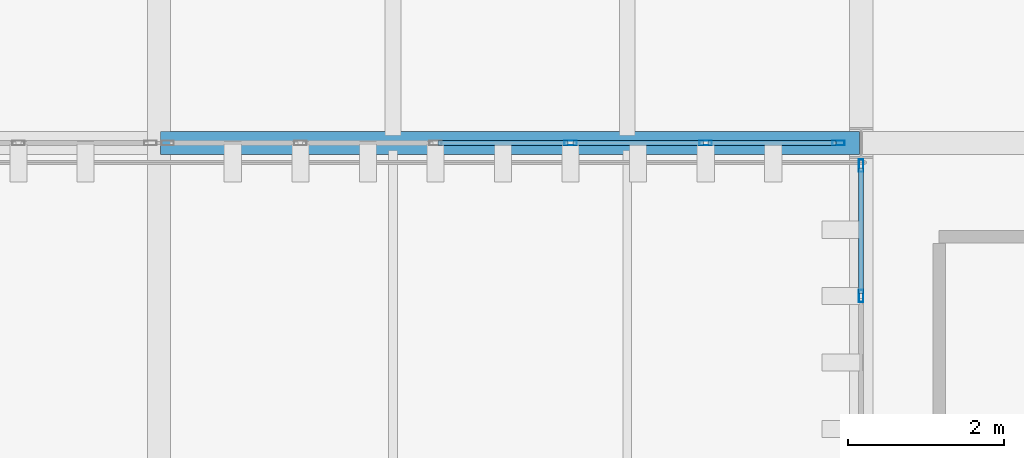
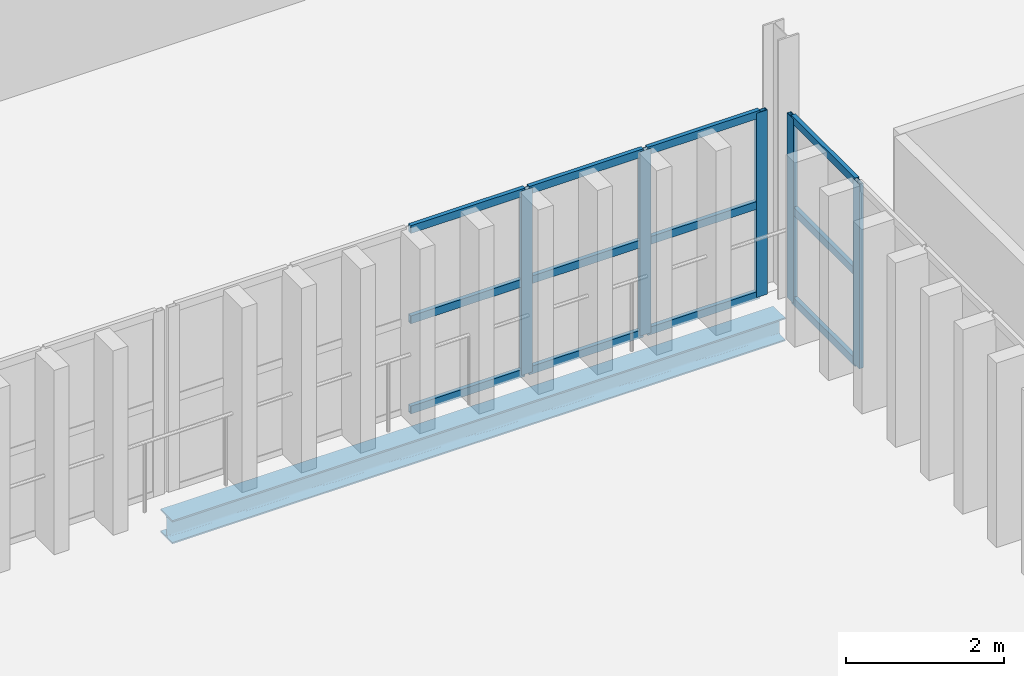
# One storey, part 41 of 102: 17 members, 1 beam, 2 elements without a shape of their own.
"""IFC4 building model written with IfcOpenShell, lengths in metres."""

from ifc_helpers import new_model, si_unit, direction, frame, origin, origin_2d, place, context, subcontext, project, spatial, hollow_rectangle, i_section, extrude, material, layer, layer_set, material_profile, profile_set, type_object, element, aggregate, save


model = new_model("IFC4")

# Units and contexts
model_context = context("Model", 3, precision=1e-05, world=origin(), true_north=direction((0.0, 1.0)))
body_context = subcontext(model_context, "Body", "Model", "MODEL_VIEW")
ifc_project = project(units=[si_unit("LENGTHUNIT", "METRE"), si_unit("AREAUNIT", "SQUARE_METRE"), si_unit("VOLUMEUNIT", "CUBIC_METRE"), si_unit("PLANEANGLEUNIT", "RADIAN"), si_unit("MASSUNIT", "GRAM", prefix="KILO")], contexts=[model_context])

# Site, building, storey
site_placement = place(None, origin())
site = spatial("IfcSite", under=ifc_project, at=site_placement, CompositionType="ELEMENT")
building_placement = place(site_placement, origin())
building = spatial("IfcBuilding", under=site, at=building_placement, Name="Barlavento Convention Centre", CompositionType="ELEMENT")
storey_placement = place(building_placement, frame((0.0, 0.0, 22.800048828125)))
storey = spatial("IfcBuildingStorey", under=building, at=storey_placement, Name="L04", CompositionType="ELEMENT", Elevation=22.800048828125)

# Curtain wall, members
ifc_material_1 = material(Name="Powder-coated aluminium and Low-E glass", Category="aluminium")
ifc_layer = layer(ifc_material_1, 0.18505859375)
ifc_layer_set = layer_set([ifc_layer], Name="ARC-CW-CONF-L04")
curtain_wall_type = type_object("IfcCurtainWallType", Name="ARC-CW-CONF-L04", PredefinedType="NOTDEFINED", material=ifc_layer_set)
curtain_wall_1_placement = place(storey_placement, origin())
curtain_wall_1 = element("IfcCurtainWall", 1, at=curtain_wall_1_placement, inside=storey, type_object=curtain_wall_type, Name="L04 unitised curtain wall CW09", PredefinedType="NOTDEFINED")
ifc_material_2 = material(Name="Powder-coated aluminium", Category="aluminium")
ifc_material_profile_1 = material_profile(ifc_material_2, hollow_rectangle(XDim=0.06005859375, YDim=0.159912109375, WallThickness=0.00390625, at=origin_2d()), Name="AL-MULL 60x160x4")
ifc_profile_set_1 = profile_set([ifc_material_profile_1], Name="Powder-coated aluminium")
member_type_1 = type_object("IfcMemberType", Name="ARC-CWM-60X160", PredefinedType="MULLION", material=ifc_profile_set_1)
member_1_placement = place(storey_placement, frame((153.0, 52.0380859375, 0.0), z_axis=(0.0, 0.0, 1.0), x_axis=(-1.0, 0.0, 0.0)))
member_1 = element("IfcMember", 2, at=member_1_placement, type_object=member_type_1, Name="CW09 mullion 5", PredefinedType="MULLION", context=body_context, shape_type="SweptSolid", body=[
    extrude(hollow_rectangle(XDim=0.06005859375, YDim=0.159912109375, WallThickness=0.00390625, at=origin_2d()), origin(), (0.0, 0.0, 1.0), 2.849853515625),
])
member_2_placement = place(storey_placement, frame((153.0, 53.7099609375, 0.0), z_axis=(0.0, 0.0, 1.0), x_axis=(-1.0, 0.0, 0.0)))
member_2 = element("IfcMember", 3, at=member_2_placement, type_object=member_type_1, Name="CW09 mullion 6", PredefinedType="MULLION", context=body_context, shape_type="SweptSolid", body=[
    extrude(hollow_rectangle(XDim=0.06005859375, YDim=0.159912109375, WallThickness=0.00390625, at=origin_2d()), origin(), (0.0, 0.0, 1.0), 2.849853515625),
])

curtain_wall_2_placement = place(storey_placement, origin())
curtain_wall_2 = element("IfcCurtainWall", 4, at=curtain_wall_2_placement, inside=storey, type_object=curtain_wall_type, Name="L04 unitised curtain wall CW09", PredefinedType="NOTDEFINED")
member_3_placement = place(storey_placement, frame((149.27587890625, 54.0, 0.0), z_axis=(0.0, 0.0, 1.0), x_axis=(0.0, 1.0, 0.0)))
member_3 = element("IfcMember", 5, at=member_3_placement, type_object=member_type_1, Name="CW09 mullion 4", PredefinedType="MULLION", context=body_context, shape_type="SweptSolid", body=[
    extrude(hollow_rectangle(XDim=0.06005859375, YDim=0.159912109375, WallThickness=0.00390625, at=origin_2d()), origin(), (0.0, 0.0, 1.0), 2.849853515625),
])
member_4_placement = place(storey_placement, frame((151.008056640625, 54.0, 0.0), z_axis=(0.0, 0.0, 1.0), x_axis=(0.0, 1.0, 0.0)))
member_4 = element("IfcMember", 6, at=member_4_placement, type_object=member_type_1, Name="CW09 mullion 5", PredefinedType="MULLION", context=body_context, shape_type="SweptSolid", body=[
    extrude(hollow_rectangle(XDim=0.06005859375, YDim=0.159912109375, WallThickness=0.00390625, at=origin_2d()), origin(), (0.0, 0.0, 1.0), 2.849853515625),
])
member_5_placement = place(storey_placement, frame((152.7099609375, 54.0, 0.0), z_axis=(0.0, 0.0, 1.0), x_axis=(0.0, 1.0, 0.0)))
member_5 = element("IfcMember", 7, at=member_5_placement, type_object=member_type_1, Name="CW09 mullion 6", PredefinedType="MULLION", context=body_context, shape_type="SweptSolid", body=[
    extrude(hollow_rectangle(XDim=0.06005859375, YDim=0.159912109375, WallThickness=0.00390625, at=origin_2d()), origin(), (0.0, 0.0, 1.0), 2.849853515625),
])

# Member
ifc_material_profile_2 = material_profile(ifc_material_2, hollow_rectangle(XDim=0.06005859375, YDim=0.1201171875, WallThickness=0.00390625, at=origin_2d()), Name="AL-TRAN 60x120x4")
ifc_profile_set_2 = profile_set([ifc_material_profile_2], Name="Powder-coated aluminium")
member_type_2 = type_object("IfcMemberType", Name="ARC-CWT-60X120", PredefinedType="USERDEFINED", material=ifc_profile_set_2)
member_6_placement = place(storey_placement, frame((153.0, 52.068115234375, 0.030029296875), z_axis=(0.0, 1.0, 0.0), x_axis=(-1.0, 0.0, 0.0)))
member_6 = element("IfcMember", 8, at=member_6_placement, type_object=member_type_2, Name="CW09 transom 5.1", ObjectType="TRANSOM", PredefinedType="USERDEFINED", context=body_context, shape_type="SweptSolid", body=[
    extrude(hollow_rectangle(XDim=0.06005859375, YDim=0.1201171875, WallThickness=0.00390625, at=origin_2d()), origin(), (0.0, 0.0, 1.0), 1.61181640625),
])

member_7_placement = place(storey_placement, frame((153.0, 52.068115234375, 1.425048828125), z_axis=(0.0, 1.0, 0.0), x_axis=(-1.0, 0.0, 0.0)))
member_7 = element("IfcMember", 9, at=member_7_placement, type_object=member_type_2, Name="CW09 transom 5.2", ObjectType="TRANSOM", PredefinedType="USERDEFINED", context=body_context, shape_type="SweptSolid", body=[
    extrude(hollow_rectangle(XDim=0.06005859375, YDim=0.1201171875, WallThickness=0.00390625, at=origin_2d()), origin(), (0.0, 0.0, 1.0), 1.61181640625),
])

member_8_placement = place(storey_placement, frame((153.0, 52.068115234375, 2.820068359375), z_axis=(0.0, 1.0, 0.0), x_axis=(-1.0, 0.0, 0.0)))
member_8 = element("IfcMember", 10, at=member_8_placement, type_object=member_type_2, Name="CW09 transom 5.3", ObjectType="TRANSOM", PredefinedType="USERDEFINED", context=body_context, shape_type="SweptSolid", body=[
    extrude(hollow_rectangle(XDim=0.06005859375, YDim=0.1201171875, WallThickness=0.00390625, at=origin_2d()), origin(), (0.0, 0.0, 1.0), 1.61181640625),
])

aggregate(curtain_wall_1, [member_1, member_2, member_6, member_7, member_8])

member_9_placement = place(storey_placement, frame((147.573974609375, 54.0, 0.030029296875), z_axis=(1.0, 0.0, 0.0), x_axis=(0.0, 1.0, 0.0)))
member_9 = element("IfcMember", 11, at=member_9_placement, type_object=member_type_2, Name="CW09 transom 3.1", ObjectType="TRANSOM", PredefinedType="USERDEFINED", context=body_context, shape_type="SweptSolid", body=[
    extrude(hollow_rectangle(XDim=0.06005859375, YDim=0.1201171875, WallThickness=0.00390625, at=origin_2d()), origin(), (0.0, 0.0, 1.0), 1.672119140625),
])

member_10_placement = place(storey_placement, frame((147.573974609375, 54.0, 1.425048828125), z_axis=(1.0, 0.0, 0.0), x_axis=(0.0, 1.0, 0.0)))
member_10 = element("IfcMember", 12, at=member_10_placement, type_object=member_type_2, Name="CW09 transom 3.2", ObjectType="TRANSOM", PredefinedType="USERDEFINED", context=body_context, shape_type="SweptSolid", body=[
    extrude(hollow_rectangle(XDim=0.06005859375, YDim=0.1201171875, WallThickness=0.00390625, at=origin_2d()), origin(), (0.0, 0.0, 1.0), 1.672119140625),
])

member_11_placement = place(storey_placement, frame((147.573974609375, 54.0, 2.820068359375), z_axis=(1.0, 0.0, 0.0), x_axis=(0.0, 1.0, 0.0)))
member_11 = element("IfcMember", 13, at=member_11_placement, type_object=member_type_2, Name="CW09 transom 3.3", ObjectType="TRANSOM", PredefinedType="USERDEFINED", context=body_context, shape_type="SweptSolid", body=[
    extrude(hollow_rectangle(XDim=0.06005859375, YDim=0.1201171875, WallThickness=0.00390625, at=origin_2d()), origin(), (0.0, 0.0, 1.0), 1.672119140625),
])

member_12_placement = place(storey_placement, frame((149.305908203125, 54.0, 0.030029296875), z_axis=(1.0, 0.0, 0.0), x_axis=(0.0, 1.0, 0.0)))
member_12 = element("IfcMember", 14, at=member_12_placement, type_object=member_type_2, Name="CW09 transom 4.1", ObjectType="TRANSOM", PredefinedType="USERDEFINED", context=body_context, shape_type="SweptSolid", body=[
    extrude(hollow_rectangle(XDim=0.06005859375, YDim=0.1201171875, WallThickness=0.00390625, at=origin_2d()), origin(), (0.0, 0.0, 1.0), 1.672119140625),
])

member_13_placement = place(storey_placement, frame((149.305908203125, 54.0, 1.425048828125), z_axis=(1.0, 0.0, 0.0), x_axis=(0.0, 1.0, 0.0)))
member_13 = element("IfcMember", 15, at=member_13_placement, type_object=member_type_2, Name="CW09 transom 4.2", ObjectType="TRANSOM", PredefinedType="USERDEFINED", context=body_context, shape_type="SweptSolid", body=[
    extrude(hollow_rectangle(XDim=0.06005859375, YDim=0.1201171875, WallThickness=0.00390625, at=origin_2d()), origin(), (0.0, 0.0, 1.0), 1.672119140625),
])

member_14_placement = place(storey_placement, frame((149.305908203125, 54.0, 2.820068359375), z_axis=(1.0, 0.0, 0.0), x_axis=(0.0, 1.0, 0.0)))
member_14 = element("IfcMember", 16, at=member_14_placement, type_object=member_type_2, Name="CW09 transom 4.3", ObjectType="TRANSOM", PredefinedType="USERDEFINED", context=body_context, shape_type="SweptSolid", body=[
    extrude(hollow_rectangle(XDim=0.06005859375, YDim=0.1201171875, WallThickness=0.00390625, at=origin_2d()), origin(), (0.0, 0.0, 1.0), 1.672119140625),
])

member_15_placement = place(storey_placement, frame((151.0380859375, 54.0, 0.030029296875), z_axis=(1.0, 0.0, 0.0), x_axis=(0.0, 1.0, 0.0)))
member_15 = element("IfcMember", 17, at=member_15_placement, type_object=member_type_2, Name="CW09 transom 5.1", ObjectType="TRANSOM", PredefinedType="USERDEFINED", context=body_context, shape_type="SweptSolid", body=[
    extrude(hollow_rectangle(XDim=0.06005859375, YDim=0.1201171875, WallThickness=0.00390625, at=origin_2d()), origin(), (0.0, 0.0, 1.0), 1.641845703125),
])

member_16_placement = place(storey_placement, frame((151.0380859375, 54.0, 1.425048828125), z_axis=(1.0, 0.0, 0.0), x_axis=(0.0, 1.0, 0.0)))
member_16 = element("IfcMember", 18, at=member_16_placement, type_object=member_type_2, Name="CW09 transom 5.2", ObjectType="TRANSOM", PredefinedType="USERDEFINED", context=body_context, shape_type="SweptSolid", body=[
    extrude(hollow_rectangle(XDim=0.06005859375, YDim=0.1201171875, WallThickness=0.00390625, at=origin_2d()), origin(), (0.0, 0.0, 1.0), 1.641845703125),
])

member_17_placement = place(storey_placement, frame((151.0380859375, 54.0, 2.820068359375), z_axis=(1.0, 0.0, 0.0), x_axis=(0.0, 1.0, 0.0)))
member_17 = element("IfcMember", 19, at=member_17_placement, type_object=member_type_2, Name="CW09 transom 5.3", ObjectType="TRANSOM", PredefinedType="USERDEFINED", context=body_context, shape_type="SweptSolid", body=[
    extrude(hollow_rectangle(XDim=0.06005859375, YDim=0.1201171875, WallThickness=0.00390625, at=origin_2d()), origin(), (0.0, 0.0, 1.0), 1.641845703125),
])

aggregate(curtain_wall_2, [member_3, member_4, member_5, member_9, member_10, member_11, member_12, member_13, member_14, member_15, member_16, member_17])

# Beam
ifc_material_3 = material(Name="Steel S355", Category="steel")
ifc_material_profile_3 = material_profile(ifc_material_3, i_section(OverallWidth=0.300048828125, OverallDepth=0.360107421875, WebThickness=0.012451171875, FlangeThickness=0.0224609375, FilletRadius=0.027099609375, at=origin_2d()), Name="HEB 360")
ifc_profile_set_3 = profile_set([ifc_material_profile_3], Name="Steel S355")
beam_type = type_object("IfcBeamType", Name="STR-BM-PRI-HEB360", PredefinedType="BEAM", material=ifc_profile_set_3)
beam_placement = place(storey_placement, frame((144.02001953125, 54.0, -0.5400390625), z_axis=(1.0, 0.0, 0.0), x_axis=(0.0, 1.0, 0.0)))
element("IfcBeam", 20, at=beam_placement, inside=storey, type_object=beam_type, Name="L04 primary girder BG12", PredefinedType="BEAM", context=body_context, shape_type="SweptSolid", body=[
    extrude(i_section(OverallWidth=0.300048828125, OverallDepth=0.360107421875, WebThickness=0.012451171875, FlangeThickness=0.0224609375, FilletRadius=0.027099609375, at=origin_2d()), origin(), (0.0, 0.0, 1.0), 8.9599609375),
])

save(model, "model.ifc")
